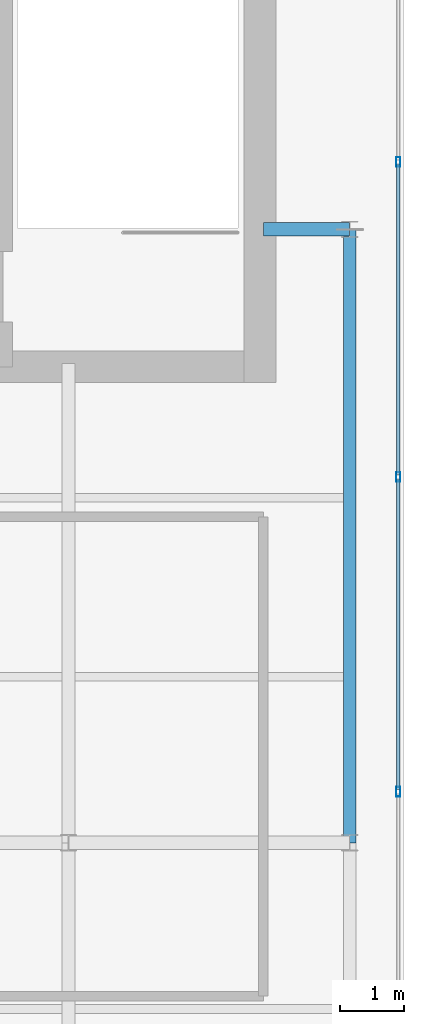
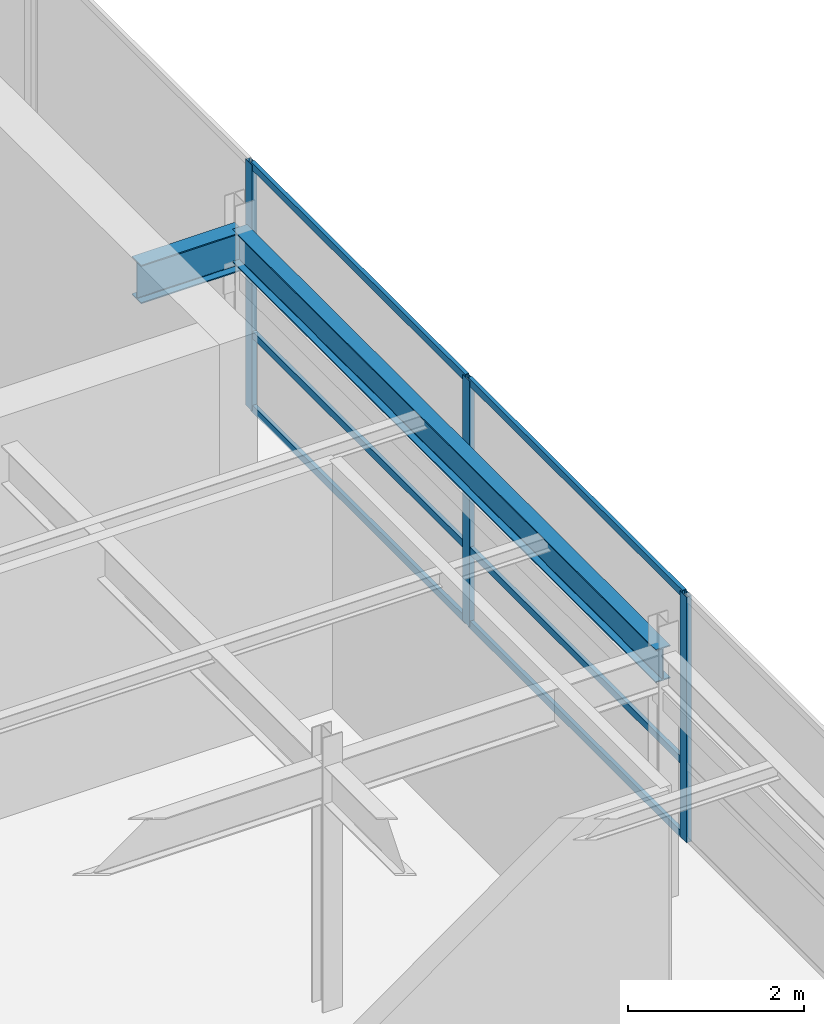
# One storey, part 24 of 35: 9 members, 2 beams, 1 element without a shape of its own.
"""IFC4 building model written with IfcOpenShell, lengths in metres."""

from ifc_helpers import new_model, si_unit, direction, frame, origin, origin_2d, place, context, subcontext, project, spatial, hollow_rectangle, i_section, extrude, source, transform, mapped, material, layer, layer_set, material_profile, profile_set, type_object, type_shapes, element, aggregate, save


model = new_model("IFC4")

# Units and contexts
model_context = context("Model", 3, precision=1e-05, world=origin(), true_north=direction((0.0, 1.0)))
body_context = subcontext(model_context, "Body", "Model", "MODEL_VIEW")
ifc_project = project(units=[si_unit("LENGTHUNIT", "METRE"), si_unit("AREAUNIT", "SQUARE_METRE"), si_unit("VOLUMEUNIT", "CUBIC_METRE"), si_unit("PLANEANGLEUNIT", "RADIAN"), si_unit("MASSUNIT", "GRAM", prefix="KILO")], contexts=[model_context])

# Site, building, storey
site_placement = place(None, origin())
site = spatial("IfcSite", under=ifc_project, at=site_placement, CompositionType="ELEMENT")
building_placement = place(site_placement, origin())
building = spatial("IfcBuilding", under=site, at=building_placement, Name="Tolvann Quenvar Hotel", CompositionType="ELEMENT")
storey_placement = place(building_placement, frame((0.0, 0.0, 309.949951171875)))
storey = spatial("IfcBuildingStorey", under=building, at=storey_placement, Name="L82", CompositionType="ELEMENT", Elevation=309.949951171875)

# Beams
ifc_material_1 = material(Name="Steel Grade 350", Category="steel")
ifc_material_profile_1 = material_profile(ifc_material_1, i_section(OverallWidth=0.19091796875, OverallDepth=0.4599609375, WebThickness=0.010009765625, FlangeThickness=0.01611328125, FilletRadius=0.011474609375, at=origin_2d()), Name="460UB82")
ifc_profile_set_1 = profile_set([ifc_material_profile_1], Name="Steel Grade 350")
beam_type_1 = type_object("IfcBeamType", Name="BM_SPAND_460UB82", PredefinedType="SPANDREL", material=ifc_profile_set_1)
shared_shape_1 = source(origin(), body_context, "Body", "SweptSolid", [
    extrude(i_section(OverallWidth=0.19091796875, OverallDepth=0.4599609375, WebThickness=0.010009765625, FlangeThickness=0.01611328125, FilletRadius=0.011474609375, at=origin_2d()), origin(), (0.0, 0.0, 1.0), 9.60009765625),
])
type_shapes(beam_type_1, [shared_shape_1])
beam_1_placement = place(storey_placement, frame((37.14990234375, 24.39990234375, 3.170166015625), z_axis=(0.0, 1.0, 0.0), x_axis=(-1.0, 0.0, 0.0)))
element("IfcBeam", 1, at=beam_1_placement, inside=storey, type_object=beam_type_1, Name="BM-L82-FLK-G1", PredefinedType="SPANDREL", context=body_context, shape_type="MappedRepresentation", body=[
    mapped(shared_shape_1, transform((0.0, 0.0, 0.0), x_axis=(1.0, 0.0, 0.0), y_axis=(0.0, 1.0, 0.0), z_axis=(0.0, 0.0, 1.0), scale=1.0)),
])
ifc_material_profile_2 = material_profile(ifc_material_1, i_section(OverallWidth=0.208984375, OverallDepth=0.532958984375, WebThickness=0.01025390625, FlangeThickness=0.015625, FilletRadius=0.013916015625, at=origin_2d()), Name="530UB92")
ifc_profile_set_2 = profile_set([ifc_material_profile_2], Name="Steel Grade 350")
beam_type_2 = type_object("IfcBeamType", Name="BM_GIRD_530UB92", PredefinedType="BEAM", material=ifc_profile_set_2)
shared_shape_2 = source(origin(), body_context, "Body", "SweptSolid", [
    extrude(i_section(OverallWidth=0.208984375, OverallDepth=0.532958984375, WebThickness=0.01025390625, FlangeThickness=0.015625, FilletRadius=0.013916015625, at=origin_2d()), origin(), (0.0, 0.0, 1.0), 1.349853515625),
])
type_shapes(beam_type_2, [shared_shape_2])
beam_2_placement = place(storey_placement, frame((35.800048828125, 34.0, 3.133544921875), z_axis=(1.0, 0.0, 0.0), x_axis=(0.0, 1.0, 0.0)))
element("IfcBeam", 2, at=beam_2_placement, inside=storey, type_object=beam_type_2, Name="BM-L82-CTE-GD6", PredefinedType="BEAM", context=body_context, shape_type="MappedRepresentation", body=[
    mapped(shared_shape_2, transform((0.0, 0.0, 0.0), x_axis=(1.0, 0.0, 0.0), y_axis=(0.0, 1.0, 0.0), z_axis=(0.0, 0.0, 1.0), scale=1.0)),
])

# Curtain wall, members
ifc_material_2 = material(Name="Thermally broken anodised architectural aluminium 6063-T6 and laminated low-E glass", Category="aluminium")
ifc_layer = layer(ifc_material_2, 0.179931640625)
ifc_layer_set = layer_set([ifc_layer], Name="Thermally broken anodised architectural aluminium 6063-T6 and laminated low-E glass")
curtain_wall_type = type_object("IfcCurtainWallType", Name="CW_SYS_LANT_06", PredefinedType="USERDEFINED", material=ifc_layer_set)
curtain_wall_placement = place(storey_placement, origin())
curtain_wall = element("IfcCurtainWall", 3, at=curtain_wall_placement, inside=storey, type_object=curtain_wall_type, Name="Curtain Wall CW-LANT-06 (CWR-L82-E09)", ObjectType="UNITISED CURTAIN WALL", PredefinedType="USERDEFINED")
ifc_material_3 = material(Name="Anodised architectural aluminium 6063-T6 framing", Category="aluminium")
ifc_material_profile_3 = material_profile(ifc_material_3, hollow_rectangle(XDim=0.050048828125, YDim=0.10009765625, WallThickness=0.0029296875, at=origin_2d()), Name="100x50x3RHS")
ifc_profile_set_3 = profile_set([ifc_material_profile_3], Name="Anodised architectural aluminium 6063-T6 framing")
member_type_1 = type_object("IfcMemberType", Name="CW_TRAN_100x50", PredefinedType="USERDEFINED", material=ifc_profile_set_3)
shared_shape_3 = source(origin(), body_context, "Body", "SweptSolid", [
    extrude(hollow_rectangle(XDim=0.050048828125, YDim=0.10009765625, WallThickness=0.0029296875, at=origin_2d()), origin(), (0.0, 0.0, 1.0), 4.86279296875),
])
member_1_placement = place(storey_placement, frame((37.909912109375, 25.232421875, 0.025146484375), z_axis=(0.0, 1.0, 0.0), x_axis=(-1.0, 0.0, 0.0)))
member_1 = element("IfcMember", 4, at=member_1_placement, type_object=member_type_1, Name="CW-LANT-06 transom 4.1", ObjectType="TRANSOM", PredefinedType="USERDEFINED", context=body_context, shape_type="MappedRepresentation", body=[
    mapped(shared_shape_3, transform((0.0, 0.0, 0.0), x_axis=(1.0, 0.0, 0.0), y_axis=(0.0, 1.0, 0.0), z_axis=(0.0, 0.0, 1.0), scale=1.0)),
])
member_2_placement = place(storey_placement, frame((37.909912109375, 25.232421875, 1.050048828125), z_axis=(0.0, 1.0, 0.0), x_axis=(-1.0, 0.0, 0.0)))
member_2 = element("IfcMember", 5, at=member_2_placement, type_object=member_type_1, Name="CW-LANT-06 transom 4.2", ObjectType="TRANSOM", PredefinedType="USERDEFINED", context=body_context, shape_type="MappedRepresentation", body=[
    mapped(shared_shape_3, transform((0.0, 0.0, 0.0), x_axis=(1.0, 0.0, 0.0), y_axis=(0.0, 1.0, 0.0), z_axis=(0.0, 0.0, 1.0), scale=1.0)),
])
member_3_placement = place(storey_placement, frame((37.909912109375, 25.232421875, 3.375), z_axis=(0.0, 1.0, 0.0), x_axis=(-1.0, 0.0, 0.0)))
member_3 = element("IfcMember", 6, at=member_3_placement, type_object=member_type_1, Name="CW-LANT-06 transom 4.3", ObjectType="TRANSOM", PredefinedType="USERDEFINED", context=body_context, shape_type="MappedRepresentation", body=[
    mapped(shared_shape_3, transform((0.0, 0.0, 0.0), x_axis=(1.0, 0.0, 0.0), y_axis=(0.0, 1.0, 0.0), z_axis=(0.0, 0.0, 1.0), scale=1.0)),
])
shared_shape_4 = source(origin(), body_context, "Body", "SweptSolid", [
    extrude(hollow_rectangle(XDim=0.050048828125, YDim=0.10009765625, WallThickness=0.0029296875, at=origin_2d()), origin(), (0.0, 0.0, 1.0), 4.862548828125),
])
type_shapes(member_type_1, [shared_shape_3, shared_shape_4])
member_4_placement = place(storey_placement, frame((37.909912109375, 30.16015625, 0.025146484375), z_axis=(0.0, 1.0, 0.0), x_axis=(-1.0, 0.0, 0.0)))
member_4 = element("IfcMember", 7, at=member_4_placement, type_object=member_type_1, Name="CW-LANT-06 transom 5.1", ObjectType="TRANSOM", PredefinedType="USERDEFINED", context=body_context, shape_type="MappedRepresentation", body=[
    mapped(shared_shape_4, transform((0.0, 0.0, 0.0), x_axis=(1.0, 0.0, 0.0), y_axis=(0.0, 1.0, 0.0), z_axis=(0.0, 0.0, 1.0), scale=1.0)),
])
member_5_placement = place(storey_placement, frame((37.909912109375, 30.16015625, 1.050048828125), z_axis=(0.0, 1.0, 0.0), x_axis=(-1.0, 0.0, 0.0)))
member_5 = element("IfcMember", 8, at=member_5_placement, type_object=member_type_1, Name="CW-LANT-06 transom 5.2", ObjectType="TRANSOM", PredefinedType="USERDEFINED", context=body_context, shape_type="MappedRepresentation", body=[
    mapped(shared_shape_4, transform((0.0, 0.0, 0.0), x_axis=(1.0, 0.0, 0.0), y_axis=(0.0, 1.0, 0.0), z_axis=(0.0, 0.0, 1.0), scale=1.0)),
])
member_6_placement = place(storey_placement, frame((37.909912109375, 30.16015625, 3.375), z_axis=(0.0, 1.0, 0.0), x_axis=(-1.0, 0.0, 0.0)))
member_6 = element("IfcMember", 9, at=member_6_placement, type_object=member_type_1, Name="CW-LANT-06 transom 5.3", ObjectType="TRANSOM", PredefinedType="USERDEFINED", context=body_context, shape_type="MappedRepresentation", body=[
    mapped(shared_shape_4, transform((0.0, 0.0, 0.0), x_axis=(1.0, 0.0, 0.0), y_axis=(0.0, 1.0, 0.0), z_axis=(0.0, 0.0, 1.0), scale=1.0)),
])
ifc_material_profile_4 = material_profile(ifc_material_3, hollow_rectangle(XDim=0.06494140625, YDim=0.14990234375, WallThickness=0.00390625, at=origin_2d()), Name="150x65x4RHS")
ifc_profile_set_4 = profile_set([ifc_material_profile_4], Name="Anodised architectural aluminium 6063-T6 framing")
member_type_2 = type_object("IfcMemberType", Name="CW_MULL_150x65", PredefinedType="MULLION", material=ifc_profile_set_4)
shared_shape_5 = source(origin(), body_context, "Body", "SweptSolid", [
    extrude(hollow_rectangle(XDim=0.06494140625, YDim=0.14990234375, WallThickness=0.00390625, at=origin_2d()), origin(), (0.0, 0.0, 1.0), 3.400146484375),
])
type_shapes(member_type_2, [shared_shape_5])
member_7_placement = place(storey_placement, frame((37.909912109375, 25.199951171875, 0.0), z_axis=(0.0, 0.0, 1.0), x_axis=(-1.0, 0.0, 0.0)))
member_7 = element("IfcMember", 10, at=member_7_placement, type_object=member_type_2, Name="CW-LANT-06 mullion 4", PredefinedType="MULLION", context=body_context, shape_type="MappedRepresentation", body=[
    mapped(shared_shape_5, transform((0.0, 0.0, 0.0), x_axis=(1.0, 0.0, 0.0), y_axis=(0.0, 1.0, 0.0), z_axis=(0.0, 0.0, 1.0), scale=1.0)),
])
member_8_placement = place(storey_placement, frame((37.909912109375, 30.127685546875, 0.0), z_axis=(0.0, 0.0, 1.0), x_axis=(-1.0, 0.0, 0.0)))
member_8 = element("IfcMember", 11, at=member_8_placement, type_object=member_type_2, Name="CW-LANT-06 mullion 5", PredefinedType="MULLION", context=body_context, shape_type="MappedRepresentation", body=[
    mapped(shared_shape_5, transform((0.0, 0.0, 0.0), x_axis=(1.0, 0.0, 0.0), y_axis=(0.0, 1.0, 0.0), z_axis=(0.0, 0.0, 1.0), scale=1.0)),
])
member_9_placement = place(storey_placement, frame((37.909912109375, 35.05517578125, 0.0), z_axis=(0.0, 0.0, 1.0), x_axis=(-1.0, 0.0, 0.0)))
member_9 = element("IfcMember", 12, at=member_9_placement, type_object=member_type_2, Name="CW-LANT-06 mullion 6", PredefinedType="MULLION", context=body_context, shape_type="MappedRepresentation", body=[
    mapped(shared_shape_5, transform((0.0, 0.0, 0.0), x_axis=(1.0, 0.0, 0.0), y_axis=(0.0, 1.0, 0.0), z_axis=(0.0, 0.0, 1.0), scale=1.0)),
])
aggregate(curtain_wall, [member_7, member_8, member_9, member_1, member_2, member_3, member_4, member_5, member_6])

save(model, "model.ifc")
